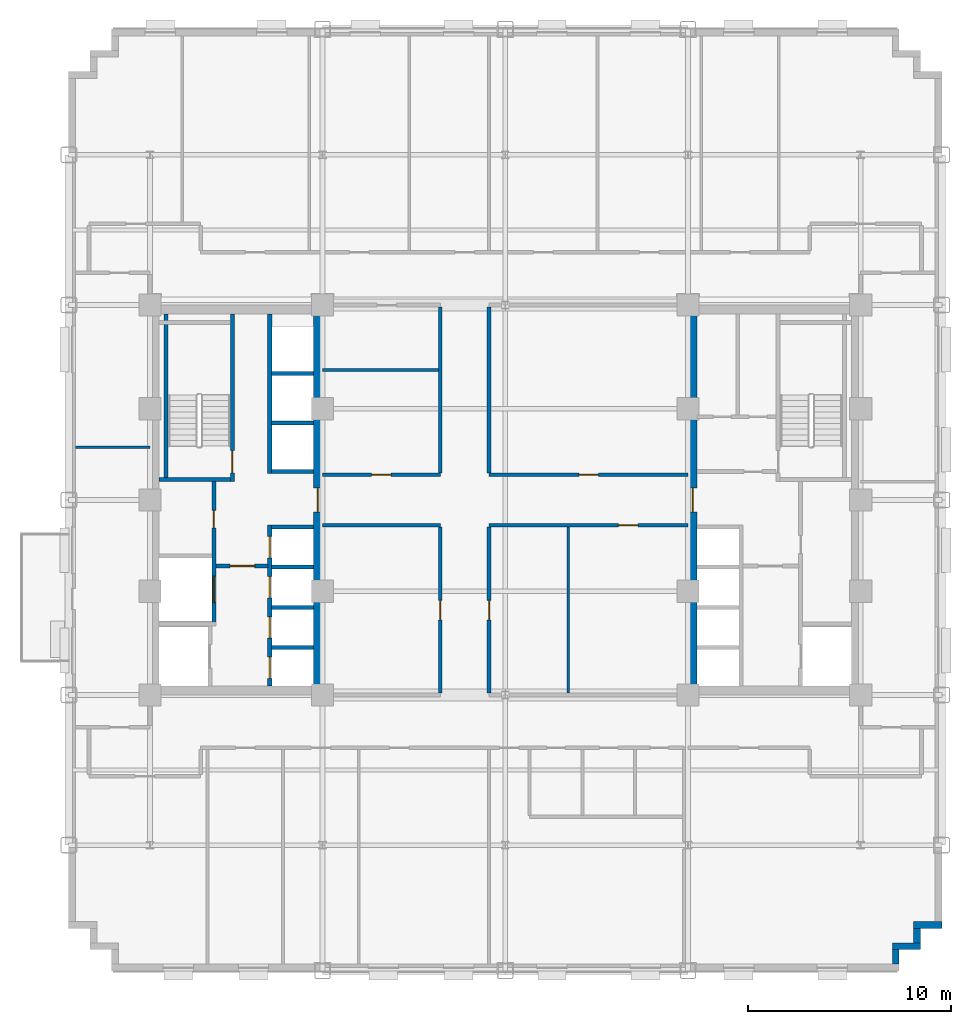
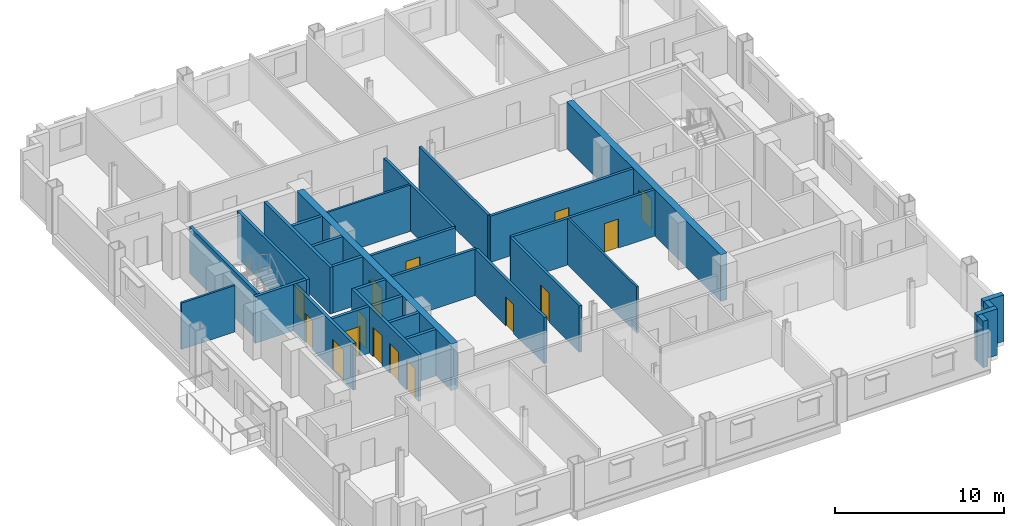
# One storey, part 7 of 14: 31 walls, 15 doors, 15 openings.
"""IFC4 building model written with IfcOpenShell, lengths in metres."""

from ifc_helpers import new_model, si_unit, direction, frame, frame_2d, origin, place, context, subcontext, project, spatial, rectangle, extrude, source, transform, mapped, material, layer, layer_set, type_object, type_shapes, element, fill, save


model = new_model("IFC4")

# Units and contexts
model_context = context("Model", 3, precision=1e-05, world=origin(), true_north=direction((0.0, 1.0)))
body_context = subcontext(model_context, "Body", "Model", "MODEL_VIEW")
ifc_project = project(units=[si_unit("LENGTHUNIT", "METRE"), si_unit("AREAUNIT", "SQUARE_METRE"), si_unit("VOLUMEUNIT", "CUBIC_METRE"), si_unit("PLANEANGLEUNIT", "RADIAN"), si_unit("MASSUNIT", "GRAM", prefix="KILO")], contexts=[model_context])

# Site, building, storey
site_placement = place(None, origin())
site = spatial("IfcSite", under=ifc_project, at=site_placement, CompositionType="ELEMENT")
building_placement = place(site_placement, origin())
building = spatial("IfcBuilding", under=site, at=building_placement, Name="Nuvemarco Arch Tower", CompositionType="ELEMENT")
storey_placement = place(building_placement, frame((0.0, 0.0, 60.449951171875)))
storey = spatial("IfcBuildingStorey", under=building, at=storey_placement, Name="L15", CompositionType="ELEMENT", Elevation=60.449951171875)

# Walls
ifc_material_1 = material(Name="Precast concrete C45/55", Category="concrete")
ifc_layer_1 = layer(ifc_material_1, 0.340087890625, Name="EW-LOW-340")
ifc_layer_set_1 = layer_set([ifc_layer_1], Name="Precast concrete C45/55")
wall_type_1 = type_object("IfcWallType", Name="EW-LOW-340", PredefinedType="STANDARD", material=ifc_layer_set_1)
wall_1_placement = place(storey_placement, frame((19.22998046875, -22.864013671875, 0.0), z_axis=(0.0, 0.0, 1.0), x_axis=(0.0, 1.0, 0.0)))
element("IfcWall", 1, at=wall_1_placement, inside=storey, type_object=wall_type_1, Name="L15 exterior precast facade wall 2", PredefinedType="STANDARD", context=body_context, shape_type="SweptSolid", body=[
    extrude(rectangle(XDim=0.718017578125, YDim=0.340087890625, at=frame_2d((0.35888671875, 0.0))), origin(), (0.0, 0.0, 1.0), 3.360107421875),
])
wall_2_placement = place(storey_placement, frame((19.06005859375, -21.97998046875, 0.0), z_axis=(0.0, 0.0, 1.0), x_axis=(1.0, 0.0, 0.0)))
element("IfcWall", 2, at=wall_2_placement, inside=storey, type_object=wall_type_1, Name="L15 exterior precast facade wall 3", PredefinedType="STANDARD", context=body_context, shape_type="SweptSolid", body=[
    extrude(rectangle(XDim=1.389892578125, YDim=0.340087890625, at=frame_2d((0.69482421875, 0.0))), origin(), (0.0, 0.0, 1.0), 3.360107421875),
])
wall_3_placement = place(storey_placement, frame((20.280029296875, -21.81396484375, 0.0), z_axis=(0.0, 0.0, 1.0), x_axis=(0.0, 1.0, 0.0)))
element("IfcWall", 3, at=wall_3_placement, inside=storey, type_object=wall_type_1, Name="L15 exterior precast facade wall 4", PredefinedType="STANDARD", context=body_context, shape_type="SweptSolid", body=[
    extrude(rectangle(XDim=0.718017578125, YDim=0.340087890625, at=frame_2d((0.35888671875, 0.0))), origin(), (0.0, 0.0, 1.0), 3.360107421875),
])
wall_4_placement = place(storey_placement, frame((20.110107421875, -20.929931640625, 0.0), z_axis=(0.0, 0.0, 1.0), x_axis=(1.0, 0.0, 0.0)))
element("IfcWall", 4, at=wall_4_placement, inside=storey, type_object=wall_type_1, Name="L15 exterior precast facade wall 5", PredefinedType="STANDARD", context=body_context, shape_type="SweptSolid", body=[
    extrude(rectangle(XDim=1.389892578125, YDim=0.340087890625, at=frame_2d((0.69482421875, 0.0))), origin(), (0.0, 0.0, 1.0), 3.360107421875),
])

# Wall, opening, door
ifc_material_2 = material(Name="Concrete C60/75", Category="concrete")
ifc_layer_2 = layer(ifc_material_2, 0.449951171875, Name="WL-CORE-450")
ifc_layer_set_2 = layer_set([ifc_layer_2], Name="Concrete C60/75")
wall_type_2 = type_object("IfcWallType", Name="WL-CORE-450", PredefinedType="SHEAR", material=ifc_layer_set_2)
wall_5_placement = place(storey_placement, frame((-9.22509765625, -9.155029296875, 0.0), z_axis=(0.0, 0.0, 1.0), x_axis=(0.0, 1.0, 0.0)))
wall_5 = element("IfcWall", 5, at=wall_5_placement, inside=storey, type_object=wall_type_2, Name="L15 W-core shear wall E", PredefinedType="SHEAR", context=body_context, shape_type="SweptSolid", body=[
    extrude(rectangle(XDim=18.31005859375, YDim=0.449951171875, at=frame_2d((9.155029296875, 0.0))), origin(), (0.0, 0.0, 1.0), 3.3701171875),
])
opening_1_placement = place(wall_5_placement, frame((8.554931640625, 0.0, 0.0)))
opening_1 = element("IfcOpeningElement", 6, at=opening_1_placement, cuts=wall_5, Name="Opening FD-2", PredefinedType="OPENING", context=body_context, shape_type="SweptSolid", body=[
    extrude(rectangle(XDim=1.199951171875, YDim=2.14990234375, at=frame_2d((0.60009765625, 1.074951171875))), frame((0.0, 0.23486328125, 0.0), z_axis=(0.0, -1.0, 0.0), x_axis=(1.0, 0.0, 0.0)), (0.0, 0.0, 1.0), 0.469970703125),
])
ifc_material_3 = material(Name="Anodised steel fire door", Category="steel")
door_type_1 = type_object("IfcDoorType", Name="DR-FFLOB-FD", OperationType="NOTDEFINED", PredefinedType="DOOR", material=ifc_material_3)
shared_shape_1 = source(origin(), body_context, "Body", "SweptSolid", [
    extrude(rectangle(XDim=1.199951171875, YDim=2.14990234375, at=frame_2d((0.60009765625, 1.074951171875))), frame((0.0, 0.02490234375, 0.0), z_axis=(0.0, -1.0, 0.0), x_axis=(1.0, 0.0, 0.0)), (0.0, 0.0, 1.0), 0.050048828125),
])
type_shapes(door_type_1, [shared_shape_1])
door_1_placement = place(opening_1_placement, origin())
door_1 = element("IfcDoor", 7, at=door_1_placement, inside=storey, type_object=door_type_1, Name="L15 door FD-L15-WCORE-E", OperationType="SINGLE_SWING_LEFT", OverallHeight=2.14990234375, OverallWidth=1.199951171875, PredefinedType="DOOR", context=body_context, shape_type="MappedRepresentation", body=[
    mapped(shared_shape_1, transform((0.0, 0.0, 0.0), scale=1.0)),
])
fill(opening_1, door_1)

wall_6_placement = place(storey_placement, frame((9.22509765625, -9.155029296875, 0.0), z_axis=(0.0, 0.0, 1.0), x_axis=(0.0, 1.0, 0.0)))
wall_6 = element("IfcWall", 8, at=wall_6_placement, inside=storey, type_object=wall_type_2, Name="L15 E-core shear wall W", PredefinedType="SHEAR", context=body_context, shape_type="SweptSolid", body=[
    extrude(rectangle(XDim=18.31005859375, YDim=0.449951171875, at=frame_2d((9.155029296875, 0.0))), origin(), (0.0, 0.0, 1.0), 3.3701171875),
])
opening_2_placement = place(wall_6_placement, frame((8.554931640625, 0.0, 0.0)))
opening_2 = element("IfcOpeningElement", 9, at=opening_2_placement, cuts=wall_6, Name="Opening FD-2", PredefinedType="OPENING", context=body_context, shape_type="SweptSolid", body=[
    extrude(rectangle(XDim=1.199951171875, YDim=2.14990234375, at=frame_2d((0.60009765625, 1.074951171875))), frame((0.0, 0.23486328125, 0.0), z_axis=(0.0, -1.0, 0.0), x_axis=(1.0, 0.0, 0.0)), (0.0, 0.0, 1.0), 0.469970703125),
])
door_2_placement = place(opening_2_placement, origin())
door_2 = element("IfcDoor", 10, at=door_2_placement, inside=storey, type_object=door_type_1, Name="L15 door FD-L15-ECORE-W", OperationType="SINGLE_SWING_RIGHT", OverallHeight=2.14990234375, OverallWidth=1.199951171875, PredefinedType="DOOR", context=body_context, shape_type="MappedRepresentation", body=[
    mapped(shared_shape_1, transform((0.0, 0.0, 0.0), scale=1.0)),
])
fill(opening_2, door_2)

# Wall
ifc_material_4 = material(Name="Fire-rated gypsum drywall partition")
ifc_layer_3 = layer(ifc_material_4, 0.179931640625, Name="WL-CORR-180")
ifc_layer_set_3 = layer_set([ifc_layer_3], Name="Fire-rated gypsum drywall partition")
wall_type_3 = type_object("IfcWallType", Name="WL-CORR-180", PredefinedType="PARTITIONING", material=ifc_layer_set_3)
wall_7_placement = place(storey_placement, frame((-9.0, -1.25, 0.0), z_axis=(0.0, 0.0, 1.0), x_axis=(1.0, 0.0, 0.0)))
element("IfcWall", 11, at=wall_7_placement, inside=storey, type_object=wall_type_3, Name="L15 interior wall IW-L15-011", PredefinedType="PARTITIONING", context=body_context, shape_type="SweptSolid", body=[
    extrude(rectangle(XDim=5.800048828125, YDim=0.179931640625, at=frame_2d((2.89990234375, 0.0))), origin(), (0.0, 0.0, 1.0), 3.360107421875),
])

# Wall, opening, door
wall_8_placement = place(storey_placement, frame((-0.800048828125, -1.25, 0.0), z_axis=(0.0, 0.0, 1.0), x_axis=(1.0, 0.0, 0.0)))
wall_8 = element("IfcWall", 12, at=wall_8_placement, inside=storey, type_object=wall_type_3, Name="L15 interior wall IW-L15-012", PredefinedType="PARTITIONING", context=body_context, shape_type="SweptSolid", body=[
    extrude(rectangle(XDim=9.800048828125, YDim=0.179931640625, at=frame_2d((4.89990234375, 0.0))), origin(), (0.0, 0.0, 1.0), 3.360107421875),
])
opening_3_placement = place(wall_8_placement, frame((6.3701171875, 0.0, 0.0)))
opening_3 = element("IfcOpeningElement", 13, at=opening_3_placement, cuts=wall_8, Name="Opening FD-5", PredefinedType="OPENING", context=body_context, shape_type="SweptSolid", body=[
    extrude(rectangle(XDim=0.9599609375, YDim=2.10009765625, at=frame_2d((0.47998046875, 1.050048828125))), frame((0.0, 0.099853515625, 0.0), z_axis=(0.0, -1.0, 0.0), x_axis=(1.0, 0.0, 0.0)), (0.0, 0.0, 1.0), 0.199951171875),
])
ifc_material_5 = material(Name="Timber fire door", Category="wood")
door_type_2 = type_object("IfcDoorType", Name="DR-CORR-FD", OperationType="NOTDEFINED", PredefinedType="DOOR", material=ifc_material_5)
shared_shape_2 = source(origin(), body_context, "Body", "SweptSolid", [
    extrude(rectangle(XDim=0.9599609375, YDim=2.10009765625, at=frame_2d((0.47998046875, 1.050048828125))), frame((0.0, 0.02490234375, 0.0), z_axis=(0.0, -1.0, 0.0), x_axis=(1.0, 0.0, 0.0)), (0.0, 0.0, 1.0), 0.050048828125),
])
type_shapes(door_type_2, [shared_shape_2])
door_3_placement = place(opening_3_placement, origin())
door_3 = element("IfcDoor", 14, at=door_3_placement, inside=storey, type_object=door_type_2, Name="L15 door DR-L15-C_SE2", OperationType="SINGLE_SWING_RIGHT", OverallHeight=2.10009765625, OverallWidth=0.9599609375, PredefinedType="DOOR", context=body_context, shape_type="MappedRepresentation", body=[
    mapped(shared_shape_2, transform((0.0, 0.0, 0.0), scale=1.0)),
])
fill(opening_3, door_3)

wall_9_placement = place(storey_placement, frame((-9.0, 1.25, 0.0), z_axis=(0.0, 0.0, 1.0), x_axis=(1.0, 0.0, 0.0)))
wall_9 = element("IfcWall", 15, at=wall_9_placement, inside=storey, type_object=wall_type_3, Name="L15 interior wall IW-L15-014", PredefinedType="PARTITIONING", context=body_context, shape_type="SweptSolid", body=[
    extrude(rectangle(XDim=5.800048828125, YDim=0.179931640625, at=frame_2d((2.89990234375, 0.0))), origin(), (0.0, 0.0, 1.0), 3.360107421875),
])
opening_4_placement = place(wall_9_placement, frame((2.419921875, 0.0, 0.0)))
opening_4 = element("IfcOpeningElement", 16, at=opening_4_placement, cuts=wall_9, Name="Opening FD-5", PredefinedType="OPENING", context=body_context, shape_type="SweptSolid", body=[
    extrude(rectangle(XDim=0.9599609375, YDim=2.10009765625, at=frame_2d((0.47998046875, 1.050048828125))), frame((0.0, 0.099853515625, 0.0), z_axis=(0.0, -1.0, 0.0), x_axis=(1.0, 0.0, 0.0)), (0.0, 0.0, 1.0), 0.199951171875),
])
door_4_placement = place(opening_4_placement, origin())
door_4 = element("IfcDoor", 17, at=door_4_placement, inside=storey, type_object=door_type_2, Name="L15 door DR-L15-C_NW1", OperationType="SINGLE_SWING_LEFT", OverallHeight=2.10009765625, OverallWidth=0.9599609375, PredefinedType="DOOR", context=body_context, shape_type="MappedRepresentation", body=[
    mapped(shared_shape_2, transform((0.0, 0.0, 0.0), scale=1.0)),
])
fill(opening_4, door_4)

wall_10_placement = place(storey_placement, frame((-0.800048828125, 1.25, 0.0), z_axis=(0.0, 0.0, 1.0), x_axis=(1.0, 0.0, 0.0)))
wall_10 = element("IfcWall", 18, at=wall_10_placement, inside=storey, type_object=wall_type_3, Name="L15 interior wall IW-L15-015", PredefinedType="PARTITIONING", context=body_context, shape_type="SweptSolid", body=[
    extrude(rectangle(XDim=9.800048828125, YDim=0.179931640625, at=frame_2d((4.89990234375, 0.0))), origin(), (0.0, 0.0, 1.0), 3.360107421875),
])
opening_5_placement = place(wall_10_placement, frame((4.419921875, 0.0, 0.0)))
opening_5 = element("IfcOpeningElement", 19, at=opening_5_placement, cuts=wall_10, Name="Opening FD-5", PredefinedType="OPENING", context=body_context, shape_type="SweptSolid", body=[
    extrude(rectangle(XDim=0.9599609375, YDim=2.10009765625, at=frame_2d((0.47998046875, 1.050048828125))), frame((0.0, 0.099853515625, 0.0), z_axis=(0.0, -1.0, 0.0), x_axis=(1.0, 0.0, 0.0)), (0.0, 0.0, 1.0), 0.199951171875),
])
door_5_placement = place(opening_5_placement, origin())
door_5 = element("IfcDoor", 20, at=door_5_placement, inside=storey, type_object=door_type_2, Name="L15 door DR-L15-C_NE", OperationType="SINGLE_SWING_RIGHT", OverallHeight=2.10009765625, OverallWidth=0.9599609375, PredefinedType="DOOR", context=body_context, shape_type="MappedRepresentation", body=[
    mapped(shared_shape_2, transform((0.0, 0.0, 0.0), scale=1.0)),
])
fill(opening_5, door_5)

wall_11_placement = place(storey_placement, frame((-3.199951171875, -9.513916015625, 0.0), z_axis=(0.0, 0.0, 1.0), x_axis=(0.0, 1.0, 0.0)))
wall_11 = element("IfcWall", 21, at=wall_11_placement, inside=storey, type_object=wall_type_3, Name="L15 interior wall IW-L15-038", PredefinedType="PARTITIONING", context=body_context, shape_type="SweptSolid", body=[
    extrude(rectangle(XDim=8.177978515625, YDim=0.179931640625, at=frame_2d((4.0888671875, 0.0))), origin(), (0.0, 0.0, 1.0), 3.360107421875),
])
opening_6_placement = place(wall_11_placement, frame((3.60888671875, 0.0, 0.0)))
opening_6 = element("IfcOpeningElement", 22, at=opening_6_placement, cuts=wall_11, Name="Opening FD-5", PredefinedType="OPENING", context=body_context, shape_type="SweptSolid", body=[
    extrude(rectangle(XDim=0.9599609375, YDim=2.10009765625, at=frame_2d((0.47998046875, 1.050048828125))), frame((0.0, 0.099853515625, 0.0), z_axis=(0.0, -1.0, 0.0), x_axis=(1.0, 0.0, 0.0)), (0.0, 0.0, 1.0), 0.199951171875),
])
door_6_placement = place(opening_6_placement, origin())
door_6 = element("IfcDoor", 23, at=door_6_placement, inside=storey, type_object=door_type_2, Name="L15 door DR-L15-C_SW", OperationType="SINGLE_SWING_LEFT", OverallHeight=2.10009765625, OverallWidth=0.9599609375, PredefinedType="DOOR", context=body_context, shape_type="MappedRepresentation", body=[
    mapped(shared_shape_2, transform((0.0, 0.0, 0.0), scale=1.0)),
])
fill(opening_6, door_6)

# Wall
wall_12_placement = place(storey_placement, frame((-3.199951171875, 1.3359375, 0.0), z_axis=(0.0, 0.0, 1.0), x_axis=(0.0, 1.0, 0.0)))
element("IfcWall", 24, at=wall_12_placement, inside=storey, type_object=wall_type_3, Name="L15 interior wall IW-L15-039", PredefinedType="PARTITIONING", context=body_context, shape_type="SweptSolid", body=[
    extrude(rectangle(XDim=8.177978515625, YDim=0.179931640625, at=frame_2d((4.0888671875, 0.0))), origin(), (0.0, 0.0, 1.0), 3.360107421875),
])

# Wall, opening, door
wall_13_placement = place(storey_placement, frame((-0.800048828125, -9.513916015625, 0.0), z_axis=(0.0, 0.0, 1.0), x_axis=(0.0, 1.0, 0.0)))
wall_13 = element("IfcWall", 25, at=wall_13_placement, inside=storey, type_object=wall_type_3, Name="L15 interior wall IW-L15-041", PredefinedType="PARTITIONING", context=body_context, shape_type="SweptSolid", body=[
    extrude(rectangle(XDim=8.177978515625, YDim=0.179931640625, at=frame_2d((4.0888671875, 0.0))), origin(), (0.0, 0.0, 1.0), 3.360107421875),
])
opening_7_placement = place(wall_13_placement, frame((3.60888671875, 0.0, 0.0)))
opening_7 = element("IfcOpeningElement", 26, at=opening_7_placement, cuts=wall_13, Name="Opening FD-5", PredefinedType="OPENING", context=body_context, shape_type="SweptSolid", body=[
    extrude(rectangle(XDim=0.9599609375, YDim=2.10009765625, at=frame_2d((0.47998046875, 1.050048828125))), frame((0.0, 0.099853515625, 0.0), z_axis=(0.0, -1.0, 0.0), x_axis=(1.0, 0.0, 0.0)), (0.0, 0.0, 1.0), 0.199951171875),
])
door_7_placement = place(opening_7_placement, origin())
door_7 = element("IfcDoor", 27, at=door_7_placement, inside=storey, type_object=door_type_2, Name="L15 door DR-L15-C_SE1", OperationType="SINGLE_SWING_RIGHT", OverallHeight=2.10009765625, OverallWidth=0.9599609375, PredefinedType="DOOR", context=body_context, shape_type="MappedRepresentation", body=[
    mapped(shared_shape_2, transform((0.0, 0.0, 0.0), scale=1.0)),
])
fill(opening_7, door_7)

# Walls
wall_14_placement = place(storey_placement, frame((-0.800048828125, 1.3359375, 0.0), z_axis=(0.0, 0.0, 1.0), x_axis=(0.0, 1.0, 0.0)))
element("IfcWall", 28, at=wall_14_placement, inside=storey, type_object=wall_type_3, Name="L15 interior wall IW-L15-042", PredefinedType="PARTITIONING", context=body_context, shape_type="SweptSolid", body=[
    extrude(rectangle(XDim=8.177978515625, YDim=0.179931640625, at=frame_2d((4.0888671875, 0.0))), origin(), (0.0, 0.0, 1.0), 3.360107421875),
])
ifc_material_6 = material(Name="Glazed acoustic office partition")
ifc_layer_4 = layer(ifc_material_6, 0.1298828125, Name="WL-EXEC-130")
ifc_layer_set_4 = layer_set([ifc_layer_4], Name="Glazed acoustic office partition")
wall_type_4 = type_object("IfcWallType", Name="WL-EXEC-130", PredefinedType="PARTITIONING", material=ifc_layer_set_4)
wall_15_placement = place(storey_placement, frame((3.10009765625, -9.513916015625, 0.0), z_axis=(0.0, 0.0, 1.0), x_axis=(0.0, 1.0, 0.0)))
element("IfcWall", 29, at=wall_15_placement, inside=storey, type_object=wall_type_4, Name="L15 interior wall IW-L15-045", PredefinedType="PARTITIONING", context=body_context, shape_type="SweptSolid", body=[
    extrude(rectangle(XDim=8.177978515625, YDim=0.1298828125, at=frame_2d((4.0888671875, 0.0))), origin(), (0.0, 0.0, 1.0), 3.360107421875),
])
ifc_material_7 = material(Name="Gypsum plasterboard partition")
ifc_layer_5 = layer(ifc_material_7, 0.139892578125, Name="WL-ROOM-140")
ifc_layer_set_5 = layer_set([ifc_layer_5], Name="Gypsum plasterboard partition")
wall_type_5 = type_object("IfcWallType", Name="WL-ROOM-140", PredefinedType="PARTITIONING", material=ifc_layer_set_5)
wall_16_placement = place(storey_placement, frame((-21.159912109375, 2.60009765625, 0.0), z_axis=(0.0, 0.0, 1.0), x_axis=(1.0, 0.0, 0.0)))
element("IfcWall", 30, at=wall_16_placement, inside=storey, type_object=wall_type_5, Name="L15 interior wall IW-L15-016", PredefinedType="PARTITIONING", context=body_context, shape_type="SweptSolid", body=[
    extrude(rectangle(XDim=3.659912109375, YDim=0.139892578125, at=frame_2d((1.830078125, 0.0))), origin(), (0.0, 0.0, 1.0), 3.360107421875),
])
wall_17_placement = place(storey_placement, frame((-9.0, 6.39990234375, 0.0), z_axis=(0.0, 0.0, 1.0), x_axis=(1.0, 0.0, 0.0)))
element("IfcWall", 31, at=wall_17_placement, inside=storey, type_object=wall_type_5, Name="L15 interior wall IW-L15-017", PredefinedType="PARTITIONING", context=body_context, shape_type="SweptSolid", body=[
    extrude(rectangle(XDim=5.714111328125, YDim=0.139892578125, at=frame_2d((2.85693359375, 0.0))), origin(), (0.0, 0.0, 1.0), 3.360107421875),
])

# Wall, opening, door
ifc_material_8 = material(Name="Concrete C50/60", Category="concrete")
ifc_layer_6 = layer(ifc_material_8, 0.199951171875, Name="WL-SHAFT-220")
ifc_layer_set_6 = layer_set([ifc_layer_6], Name="Concrete C50/60")
wall_type_6 = type_object("IfcWallType", Name="WL-SHAFT-220", PredefinedType="SHEAR", material=ifc_layer_set_6)
wall_18_placement = place(storey_placement, frame((-13.43994140625, 0.89990234375, 0.0), z_axis=(0.0, 0.0, 1.0), x_axis=(0.0, 1.0, 0.0)))
wall_18 = element("IfcWall", 32, at=wall_18_placement, inside=storey, type_object=wall_type_6, Name="L15 structural shaft wall SW-L15-W-ST1E", PredefinedType="SHEAR", context=body_context, shape_type="SweptSolid", body=[
    extrude(rectangle(XDim=8.255126953125, YDim=0.199951171875, at=frame_2d((4.12744140625, 0.0))), origin(), (0.0, 0.0, 1.0), 3.3701171875),
])
opening_8_placement = place(wall_18_placement, frame((1.530029296875, 0.0, 0.0), z_axis=(0.0, 0.0, 1.0), x_axis=(-1.0, 0.0, 0.0)))
opening_8 = element("IfcOpeningElement", 33, at=opening_8_placement, cuts=wall_18, Name="Opening FD-1", PredefinedType="OPENING", context=body_context, shape_type="SweptSolid", body=[
    extrude(rectangle(XDim=1.10009765625, YDim=2.14990234375, at=frame_2d((0.550048828125, 1.074951171875))), frame((0.0, 0.10986328125, 0.0), z_axis=(0.0, -1.0, 0.0), x_axis=(1.0, 0.0, 0.0)), (0.0, 0.0, 1.0), 0.219970703125),
])
door_type_3 = type_object("IfcDoorType", Name="DR-STAIR-FD", OperationType="NOTDEFINED", PredefinedType="DOOR", material=ifc_material_3)
shared_shape_3 = source(origin(), body_context, "Body", "SweptSolid", [
    extrude(rectangle(XDim=1.10009765625, YDim=2.14990234375, at=frame_2d((0.550048828125, 1.074951171875))), frame((0.0, 0.02490234375, 0.0), z_axis=(0.0, -1.0, 0.0), x_axis=(1.0, 0.0, 0.0)), (0.0, 0.0, 1.0), 0.050048828125),
])
type_shapes(door_type_3, [shared_shape_3])
door_8_placement = place(opening_8_placement, origin())
door_8 = element("IfcDoor", 34, at=door_8_placement, inside=storey, type_object=door_type_3, Name="L15 door FD-L15-ST1", OperationType="SINGLE_SWING_LEFT", OverallHeight=2.14990234375, OverallWidth=1.10009765625, PredefinedType="DOOR", context=body_context, shape_type="MappedRepresentation", body=[
    mapped(shared_shape_3, transform((0.0, 0.0, 0.0), scale=1.0)),
])
fill(opening_8, door_8)

# Walls
wall_19_placement = place(storey_placement, frame((-17.054931640625, 1.0, 0.0), z_axis=(0.0, 0.0, 1.0), x_axis=(1.0, 0.0, 0.0)))
element("IfcWall", 35, at=wall_19_placement, inside=storey, type_object=wall_type_6, Name="L15 structural shaft wall SW-L15-W-ST1S", PredefinedType="SHEAR", context=body_context, shape_type="SweptSolid", body=[
    extrude(rectangle(XDim=3.52001953125, YDim=0.199951171875, at=frame_2d((1.760009765625, 0.0))), origin(), (0.0, 0.0, 1.0), 3.3701171875),
])
wall_20_placement = place(storey_placement, frame((-16.699951171875, 1.094970703125, 0.0), z_axis=(0.0, 0.0, 1.0), x_axis=(0.0, 1.0, 0.0)))
element("IfcWall", 36, at=wall_20_placement, inside=storey, type_object=wall_type_6, Name="L15 structural shaft wall SW-L15-W-ST1W", PredefinedType="SHEAR", context=body_context, shape_type="SweptSolid", body=[
    extrude(rectangle(XDim=8.06005859375, YDim=0.199951171875, at=frame_2d((4.030029296875, 0.0))), origin(), (0.0, 0.0, 1.0), 3.3701171875),
])

# Wall, openings, doors
wall_21_placement = place(storey_placement, frame((-14.35009765625, -6.199951171875, 0.0), z_axis=(0.0, 0.0, 1.0), x_axis=(0.0, 1.0, 0.0)))
wall_21 = element("IfcWall", 37, at=wall_21_placement, inside=storey, type_object=wall_type_6, Name="L15 structural shaft wall SW-L15-W-SVE", PredefinedType="SHEAR", context=body_context, shape_type="SweptSolid", body=[
    extrude(rectangle(XDim=7.10498046875, YDim=0.199951171875, at=frame_2d((3.552490234375, 0.0))), origin(), (0.0, 0.0, 1.0), 3.3701171875),
])
opening_9_placement = place(wall_21_placement, frame((5.68994140625, 0.0, 0.0), z_axis=(0.0, 0.0, 1.0), x_axis=(-1.0, 0.0, 0.0)))
opening_9 = element("IfcOpeningElement", 38, at=opening_9_placement, cuts=wall_21, Name="Opening FD-4", PredefinedType="OPENING", context=body_context, shape_type="SweptSolid", body=[
    extrude(rectangle(XDim=0.8798828125, YDim=2.10009765625, at=frame_2d((0.43994140625, 1.050048828125))), frame((0.0, 0.10986328125, 0.0), z_axis=(0.0, -1.0, 0.0), x_axis=(1.0, 0.0, 0.0)), (0.0, 0.0, 1.0), 0.219970703125),
])
opening_10_placement = place(wall_21_placement, frame((1.14990234375, 0.0, 0.0)))
opening_10 = element("IfcOpeningElement", 39, at=opening_10_placement, cuts=wall_21, Name="Opening LD-3", PredefinedType="OPENING", context=body_context, shape_type="SweptSolid", body=[
    extrude(rectangle(XDim=1.300048828125, YDim=2.199951171875, at=frame_2d((0.64990234375, 1.10009765625))), frame((0.0, 0.10986328125, 0.0), z_axis=(0.0, -1.0, 0.0), x_axis=(1.0, 0.0, 0.0)), (0.0, 0.0, 1.0), 0.219970703125),
])
door_type_4 = type_object("IfcDoorType", Name="DR-RISER-FD", OperationType="NOTDEFINED", PredefinedType="DOOR", material=ifc_material_3)
shared_shape_4 = source(origin(), body_context, "Body", "SweptSolid", [
    extrude(rectangle(XDim=0.8798828125, YDim=2.10009765625, at=frame_2d((0.43994140625, 1.050048828125))), frame((0.0, 0.02490234375, 0.0), z_axis=(0.0, -1.0, 0.0), x_axis=(1.0, 0.0, 0.0)), (0.0, 0.0, 1.0), 0.050048828125),
])
type_shapes(door_type_4, [shared_shape_4])
door_9_placement = place(opening_9_placement, origin())
door_9 = element("IfcDoor", 40, at=door_9_placement, inside=storey, type_object=door_type_4, Name="L15 door FD-L15-WRIS", OperationType="SINGLE_SWING_LEFT", OverallHeight=2.10009765625, OverallWidth=0.8798828125, PredefinedType="DOOR", context=body_context, shape_type="MappedRepresentation", body=[
    mapped(shared_shape_4, transform((0.0, 0.0, 0.0), scale=1.0)),
])
fill(opening_9, door_9)
ifc_material_9 = material(Name="Stainless steel lift door", Category="steel")
door_type_5 = type_object("IfcDoorType", Name="DR-LIFT-SERV", OperationType="DOUBLE_DOOR_SLIDING", PredefinedType="DOOR", material=ifc_material_9)
shared_shape_5 = source(origin(), body_context, "Body", "SweptSolid", [
    extrude(rectangle(XDim=1.300048828125, YDim=2.199951171875, at=frame_2d((0.64990234375, 1.10009765625))), frame((0.0, 0.02490234375, 0.0), z_axis=(0.0, -1.0, 0.0), x_axis=(1.0, 0.0, 0.0)), (0.0, 0.0, 1.0), 0.050048828125),
])
type_shapes(door_type_5, [shared_shape_5])
door_10_placement = place(opening_10_placement, origin())
door_10 = element("IfcDoor", 41, at=door_10_placement, inside=storey, type_object=door_type_5, Name="L15 Lift landing sliding door SVL-1", OperationType="DOUBLE_DOOR_SLIDING", OverallHeight=2.199951171875, OverallWidth=1.300048828125, PredefinedType="DOOR", context=body_context, shape_type="MappedRepresentation", body=[
    mapped(shared_shape_5, transform((0.0, 0.0, 0.0), scale=1.0)),
])
fill(opening_10, door_10)

wall_22_placement = place(storey_placement, frame((-11.60009765625, -9.155029296875, 0.0), z_axis=(0.0, 0.0, 1.0), x_axis=(0.0, 1.0, 0.0)))
wall_22 = element("IfcWall", 42, at=wall_22_placement, inside=storey, type_object=wall_type_6, Name="L15 structural shaft wall SW-L15-W-PLW", PredefinedType="SHEAR", context=body_context, shape_type="SweptSolid", body=[
    extrude(rectangle(XDim=7.925048828125, YDim=0.199951171875, at=frame_2d((3.96240234375, 0.0))), origin(), (0.0, 0.0, 1.0), 3.3701171875),
])
opening_11_placement = place(wall_22_placement, frame((0.3701171875, 0.0, 0.0)))
opening_11 = element("IfcOpeningElement", 43, at=opening_11_placement, cuts=wall_22, Name="Opening LD-1", PredefinedType="OPENING", context=body_context, shape_type="SweptSolid", body=[
    extrude(rectangle(XDim=1.050048828125, YDim=2.14990234375, at=frame_2d((0.52490234375, 1.074951171875))), frame((0.0, 0.10986328125, 0.0), z_axis=(0.0, -1.0, 0.0), x_axis=(1.0, 0.0, 0.0)), (0.0, 0.0, 1.0), 0.219970703125),
])
opening_12_placement = place(wall_22_placement, frame((2.35009765625, 0.0, 0.0)))
opening_12 = element("IfcOpeningElement", 44, at=opening_12_placement, cuts=wall_22, Name="Opening LD-1", PredefinedType="OPENING", context=body_context, shape_type="SweptSolid", body=[
    extrude(rectangle(XDim=1.050048828125, YDim=2.14990234375, at=frame_2d((0.52490234375, 1.074951171875))), frame((0.0, 0.10986328125, 0.0), z_axis=(0.0, -1.0, 0.0), x_axis=(1.0, 0.0, 0.0)), (0.0, 0.0, 1.0), 0.219970703125),
])
opening_13_placement = place(wall_22_placement, frame((4.330078125, 0.0, 0.0)))
opening_13 = element("IfcOpeningElement", 45, at=opening_13_placement, cuts=wall_22, Name="Opening LD-1", PredefinedType="OPENING", context=body_context, shape_type="SweptSolid", body=[
    extrude(rectangle(XDim=1.050048828125, YDim=2.14990234375, at=frame_2d((0.52490234375, 1.074951171875))), frame((0.0, 0.10986328125, 0.0), z_axis=(0.0, -1.0, 0.0), x_axis=(1.0, 0.0, 0.0)), (0.0, 0.0, 1.0), 0.219970703125),
])
opening_14_placement = place(wall_22_placement, frame((6.31005859375, 0.0, 0.0)))
opening_14 = element("IfcOpeningElement", 46, at=opening_14_placement, cuts=wall_22, Name="Opening LD-1", PredefinedType="OPENING", context=body_context, shape_type="SweptSolid", body=[
    extrude(rectangle(XDim=1.050048828125, YDim=2.14990234375, at=frame_2d((0.52490234375, 1.074951171875))), frame((0.0, 0.10986328125, 0.0), z_axis=(0.0, -1.0, 0.0), x_axis=(1.0, 0.0, 0.0)), (0.0, 0.0, 1.0), 0.219970703125),
])
door_type_6 = type_object("IfcDoorType", Name="DR-LIFT-PASS", OperationType="DOUBLE_DOOR_SLIDING", PredefinedType="DOOR", material=ifc_material_9)
shared_shape_6 = source(origin(), body_context, "Body", "SweptSolid", [
    extrude(rectangle(XDim=1.050048828125, YDim=2.14990234375, at=frame_2d((0.52490234375, 1.074951171875))), frame((0.0, 0.02490234375, 0.0), z_axis=(0.0, -1.0, 0.0), x_axis=(1.0, 0.0, 0.0)), (0.0, 0.0, 1.0), 0.050048828125),
])
type_shapes(door_type_6, [shared_shape_6])
door_11_placement = place(opening_11_placement, origin())
door_11 = element("IfcDoor", 47, at=door_11_placement, inside=storey, type_object=door_type_6, Name="L15 Lift landing sliding door PL-1", OperationType="DOUBLE_DOOR_SLIDING", OverallHeight=2.14990234375, OverallWidth=1.050048828125, PredefinedType="DOOR", context=body_context, shape_type="MappedRepresentation", body=[
    mapped(shared_shape_6, transform((0.0, 0.0, 0.0), scale=1.0)),
])
fill(opening_11, door_11)
door_12_placement = place(opening_12_placement, origin())
door_12 = element("IfcDoor", 48, at=door_12_placement, inside=storey, type_object=door_type_6, Name="L15 Lift landing sliding door PL-2", OperationType="DOUBLE_DOOR_SLIDING", OverallHeight=2.14990234375, OverallWidth=1.050048828125, PredefinedType="DOOR", context=body_context, shape_type="MappedRepresentation", body=[
    mapped(shared_shape_6, transform((0.0, 0.0, 0.0), scale=1.0)),
])
fill(opening_12, door_12)
door_13_placement = place(opening_13_placement, origin())
door_13 = element("IfcDoor", 49, at=door_13_placement, inside=storey, type_object=door_type_6, Name="L15 Lift landing sliding door PL-3", OperationType="DOUBLE_DOOR_SLIDING", OverallHeight=2.14990234375, OverallWidth=1.050048828125, PredefinedType="DOOR", context=body_context, shape_type="MappedRepresentation", body=[
    mapped(shared_shape_6, transform((0.0, 0.0, 0.0), scale=1.0)),
])
fill(opening_13, door_13)
door_14_placement = place(opening_14_placement, origin())
door_14 = element("IfcDoor", 50, at=door_14_placement, inside=storey, type_object=door_type_6, Name="L15 Lift landing sliding door PL-4", OperationType="DOUBLE_DOOR_SLIDING", OverallHeight=2.14990234375, OverallWidth=1.050048828125, PredefinedType="DOOR", context=body_context, shape_type="MappedRepresentation", body=[
    mapped(shared_shape_6, transform((0.0, 0.0, 0.0), scale=1.0)),
])
fill(opening_14, door_14)

# Wall, opening, door
wall_23_placement = place(storey_placement, frame((-14.2548828125, -3.25, 0.0), z_axis=(0.0, 0.0, 1.0), x_axis=(1.0, 0.0, 0.0)))
wall_23 = element("IfcWall", 51, at=wall_23_placement, inside=storey, type_object=wall_type_6, Name="L15 structural shaft wall SW-L15-W-FFN", PredefinedType="SHEAR", context=body_context, shape_type="SweptSolid", body=[
    extrude(rectangle(XDim=2.559814453125, YDim=0.199951171875, at=frame_2d((1.27978515625, 0.0))), origin(), (0.0, 0.0, 1.0), 3.3701171875),
])
opening_15_placement = place(wall_23_placement, frame((0.705078125, 0.0, 0.0)))
opening_15 = element("IfcOpeningElement", 52, at=opening_15_placement, cuts=wall_23, Name="Opening FD-2", PredefinedType="OPENING", context=body_context, shape_type="SweptSolid", body=[
    extrude(rectangle(XDim=1.199951171875, YDim=2.14990234375, at=frame_2d((0.60009765625, 1.074951171875))), frame((0.0, 0.10986328125, 0.0), z_axis=(0.0, -1.0, 0.0), x_axis=(1.0, 0.0, 0.0)), (0.0, 0.0, 1.0), 0.219970703125),
])
door_15_placement = place(opening_15_placement, origin())
door_15 = element("IfcDoor", 53, at=door_15_placement, inside=storey, type_object=door_type_1, Name="L15 door FD-L15-WFF1", OperationType="SINGLE_SWING_LEFT", OverallHeight=2.14990234375, OverallWidth=1.199951171875, PredefinedType="DOOR", context=body_context, shape_type="MappedRepresentation", body=[
    mapped(shared_shape_1, transform((0.0, 0.0, 0.0), scale=1.0)),
])
fill(opening_15, door_15)

# Walls
for number, where, z_axis, x_axis, name in (
    (54, (-11.5048828125, -7.27001953125, 0.0), (0.0, 0.0, 1.0), (1.0, 0.0, 0.0), "L15 structural shaft wall SW-L15-W-PLD1"),
    (55, (-11.5048828125, -5.2900390625, 0.0), (0.0, 0.0, 1.0), (1.0, 0.0, 0.0), "L15 structural shaft wall SW-L15-W-PLD2"),
    (56, (-11.5048828125, -3.31005859375, 0.0), (0.0, 0.0, 1.0), (1.0, 0.0, 0.0), "L15 structural shaft wall SW-L15-W-PLD3"),
    (57, (-11.5048828125, -1.330078125, 0.0), (0.0, 0.0, 1.0), (1.0, 0.0, 0.0), "L15 structural shaft wall SW-L15-W-PLD4"),
):
    element("IfcWall", number, at=place(storey_placement, frame(where, z_axis=z_axis, x_axis=x_axis)), inside=storey, type_object=wall_type_6, Name=name, PredefinedType="SHEAR", context=body_context, shape_type="SweptSolid", body=[
        extrude(rectangle(XDim=2.059814453125, YDim=0.199951171875, at=frame_2d((1.02978515625, 0.0))), origin(), (0.0, 0.0, 1.0), 3.3701171875),
    ])
wall_24_placement = place(storey_placement, frame((-11.60009765625, 1.300048828125, 0.0), z_axis=(0.0, 0.0, 1.0), x_axis=(0.0, 1.0, 0.0)))
element("IfcWall", 58, at=wall_24_placement, inside=storey, type_object=wall_type_6, Name="L15 structural shaft wall SW-L15-W-PHW", PredefinedType="SHEAR", context=body_context, shape_type="SweptSolid", body=[
    extrude(rectangle(XDim=7.85498046875, YDim=0.199951171875, at=frame_2d((3.927490234375, 0.0))), origin(), (0.0, 0.0, 1.0), 3.3701171875),
])
for number, where, z_axis, x_axis, name in (
    (59, (-11.5048828125, 1.39990234375, 0.0), (0.0, 0.0, 1.0), (1.0, 0.0, 0.0), "L15 structural shaft wall SW-L15-W-PHD1"),
    (60, (-11.5048828125, 3.800048828125, 0.0), (0.0, 0.0, 1.0), (1.0, 0.0, 0.0), "L15 structural shaft wall SW-L15-W-PHD2"),
    (61, (-11.5048828125, 6.219970703125, 0.0), (0.0, 0.0, 1.0), (1.0, 0.0, 0.0), "L15 structural shaft wall SW-L15-W-PHD3"),
):
    element("IfcWall", number, at=place(storey_placement, frame(where, z_axis=z_axis, x_axis=x_axis)), inside=storey, type_object=wall_type_6, Name=name, PredefinedType="SHEAR", context=body_context, shape_type="SweptSolid", body=[
        extrude(rectangle(XDim=2.059814453125, YDim=0.199951171875, at=frame_2d((1.02978515625, 0.0))), origin(), (0.0, 0.0, 1.0), 3.3701171875),
    ])

save(model, "model.ifc")
